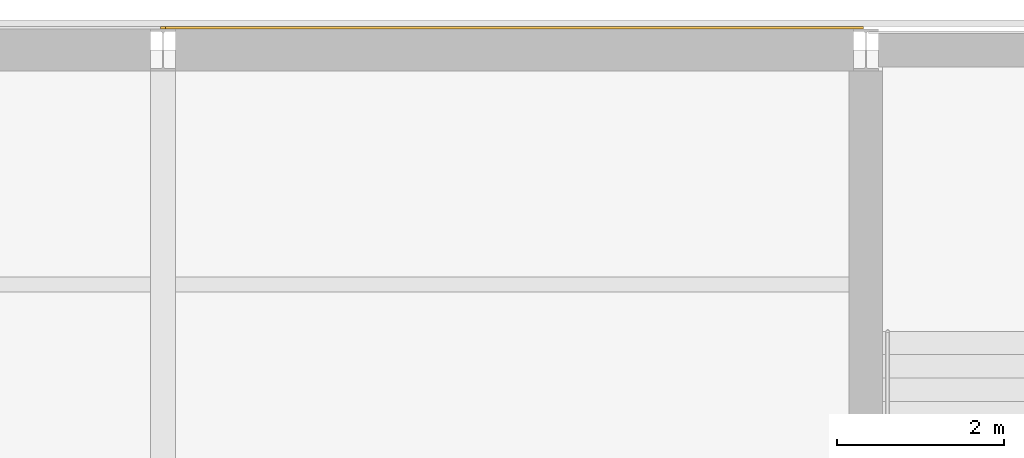
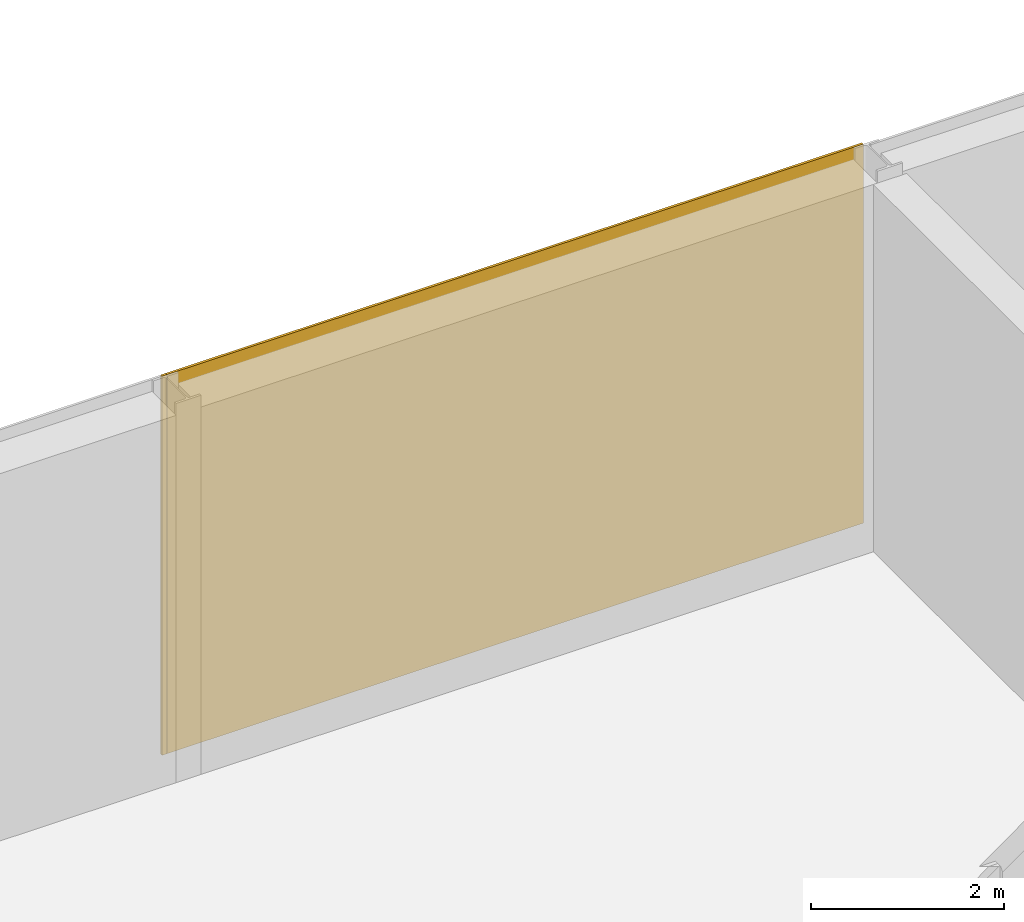
# One storey, part 49 of 61: 2 coverings.
"""IFC4 building model written with IfcOpenShell, lengths in metres."""

from ifc_helpers import new_model, si_unit, direction, frame, origin, origin_2d, place, context, subcontext, project, spatial, rectangle, extrude, material, layer, layer_set, type_object, element, save


model = new_model("IFC4")

# Units and contexts
model_context = context("Model", 3, precision=1e-05, world=origin(), true_north=direction((0.0, 1.0)))
body_context = subcontext(model_context, "Body", "Model", "MODEL_VIEW")
ifc_project = project(units=[si_unit("LENGTHUNIT", "METRE"), si_unit("AREAUNIT", "SQUARE_METRE"), si_unit("VOLUMEUNIT", "CUBIC_METRE"), si_unit("PLANEANGLEUNIT", "RADIAN"), si_unit("MASSUNIT", "GRAM", prefix="KILO")], contexts=[model_context])

# Site, building, storey
site_placement = place(None, origin())
site = spatial("IfcSite", under=ifc_project, at=site_placement, CompositionType="ELEMENT")
building_placement = place(site_placement, origin())
building = spatial("IfcBuilding", under=site, at=building_placement, Name="Galleria Vessillo Department Store", CompositionType="ELEMENT")
storey_placement = place(building_placement, frame((0.0, 0.0, 11.39990234375)))
storey = spatial("IfcBuildingStorey", under=building, at=storey_placement, Name="L02", CompositionType="ELEMENT", Elevation=11.39990234375)

# Coverings
ifc_material = material(Name="Lime plaster (intonaco) ochre")
ifc_layer = layer(ifc_material, 0.030029296875)
ifc_layer_set = layer_set([ifc_layer], Name="Lime plaster (intonaco) ochre")
covering_type = type_object("IfcCoveringType", Name="Lime plaster render 30 mm", PredefinedType="CLADDING", material=ifc_layer_set)
covering_1_placement = place(storey_placement, frame((29.39990234375, 63.264892578125, 0.0), z_axis=(0.0, 0.0, 1.0), x_axis=(1.0, 0.0, 0.0)))
element("IfcCovering", 1, at=covering_1_placement, inside=storey, type_object=covering_type, Name="Wall cladding S-PN-L02-03", PredefinedType="CLADDING", context=body_context, shape_type="SweptSolid", body=[
    extrude(rectangle(XDim=8.34033203125, YDim=0.030029296875, at=origin_2d()), origin(), (0.0, 0.0, 1.0), 4.800048828125),
])
covering_2_placement = place(storey_placement, frame((25.199951171875, 63.264892578125, 0.0), z_axis=(0.0, 0.0, 1.0), x_axis=(1.0, 0.0, 0.0)))
element("IfcCovering", 2, at=covering_2_placement, inside=storey, type_object=covering_type, Name="Joint block Wall cladding S-PN-L02-02", PredefinedType="CLADDING", context=body_context, shape_type="SweptSolid", body=[
    extrude(rectangle(XDim=0.059814453125, YDim=0.030029296875, at=origin_2d()), origin(), (0.0, 0.0, 1.0), 4.800048828125),
])

save(model, "model.ifc")
